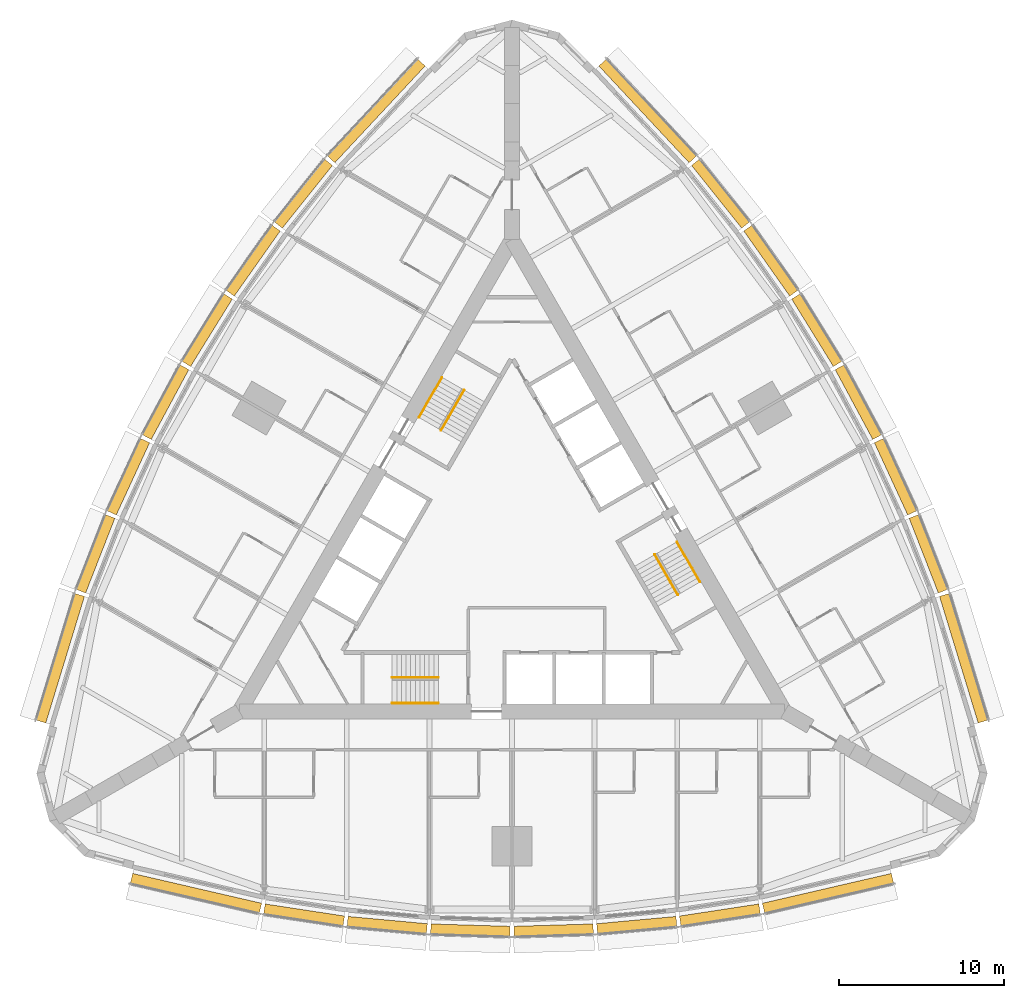
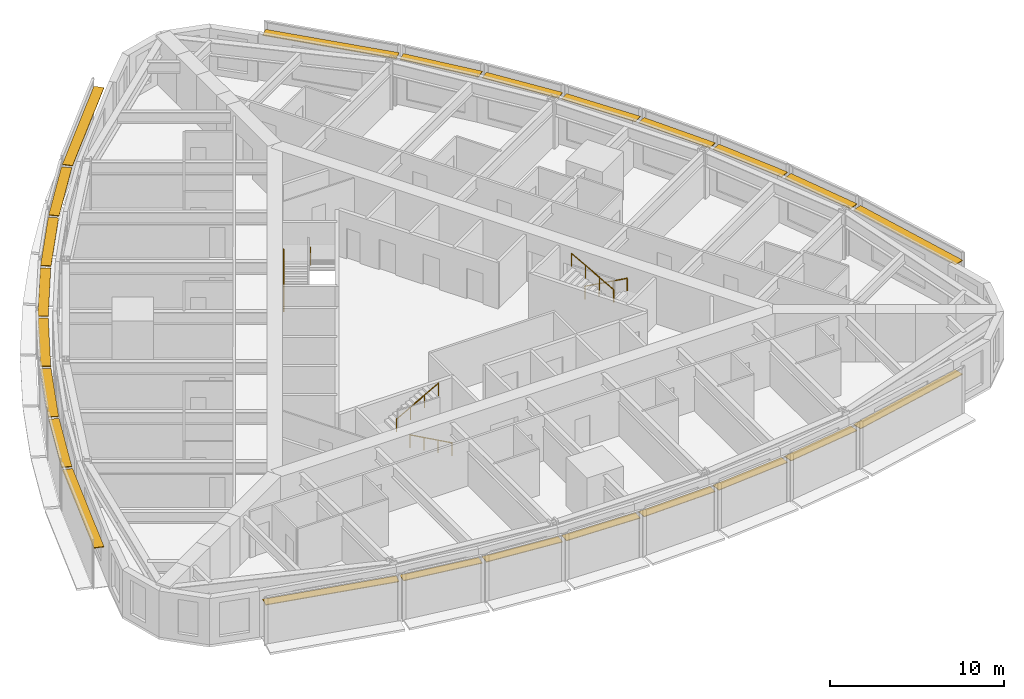
# One storey, part 14 of 14: 24 shading devices, 6 railings.
"""IFC4 building model written with IfcOpenShell, lengths in metres."""

from ifc_helpers import new_model, si_unit, direction, frame, origin, origin_2d, place, context, subcontext, project, spatial, rectangle, circle, extrude, material, type_object, element, save


model = new_model("IFC4")

# Units and contexts
model_context = context("Model", 3, precision=1e-05, world=origin(), true_north=direction((0.0, 1.0)))
body_context = subcontext(model_context, "Body", "Model", "MODEL_VIEW")
ifc_project = project(units=[si_unit("LENGTHUNIT", "METRE"), si_unit("AREAUNIT", "SQUARE_METRE"), si_unit("VOLUMEUNIT", "CUBIC_METRE"), si_unit("PLANEANGLEUNIT", "RADIAN"), si_unit("MASSUNIT", "GRAM", prefix="KILO")], contexts=[model_context])

# Site, building, storey
site_placement = place(None, origin())
site = spatial("IfcSite", under=ifc_project, at=site_placement, CompositionType="ELEMENT")
building_placement = place(site_placement, origin())
building = spatial("IfcBuilding", under=site, at=building_placement, Name="Trikona Tower", CompositionType="ELEMENT")
storey_placement = place(building_placement, frame((0.0, 0.0, 79.5)))
storey = spatial("IfcBuildingStorey", under=building, at=storey_placement, Name="L20", CompositionType="ELEMENT", Elevation=79.5)

# Shading devices
ifc_material_1 = material(Name="Aluminium louvre blade, pale anodised", Category="aluminium")
shading_device_type = type_object("IfcShadingDeviceType", Name="Cavity louvre 600", PredefinedType="USERDEFINED", material=ifc_material_1)
shading_device_1_placement = place(storey_placement, frame((-19.126220703125, -20.5234375, 2.77490234375), z_axis=(0.0, 0.0, 1.0), x_axis=(0.974277718622, -0.225350675607, 0.0)))
element("IfcShadingDevice", 1, at=shading_device_1_placement, inside=storey, type_object=shading_device_type, Name="Cavity louvre L20-00", ObjectType="LOUVRE", PredefinedType="USERDEFINED", context=body_context, shape_type="SweptSolid", body=[
    extrude(rectangle(XDim=8.01123046875, YDim=0.60009765625, at=origin_2d()), origin(), (0.0, 0.0, 1.0), 0.050048828125),
])
shading_device_2_placement = place(storey_placement, frame((-12.584228515625, -21.837158203125, 2.77490234375), z_axis=(0.0, 0.0, 1.0), x_axis=(0.988617896768, -0.150448177754, 0.0)))
element("IfcShadingDevice", 2, at=shading_device_2_placement, inside=storey, type_object=shading_device_type, Name="Cavity louvre L20-01", ObjectType="LOUVRE", PredefinedType="USERDEFINED", context=body_context, shape_type="SweptSolid", body=[
    extrude(rectangle(XDim=4.857666015625, YDim=0.60009765625, at=origin_2d()), origin(), (0.0, 0.0, 1.0), 0.050048828125),
])
shading_device_3_placement = place(storey_placement, frame((-7.55078125, -22.44970703125, 2.77490234375), z_axis=(0.0, 0.0, 1.0), x_axis=(0.995858098326, -0.090921108655, 0.0)))
element("IfcShadingDevice", 3, at=shading_device_3_placement, inside=storey, type_object=shading_device_type, Name="Cavity louvre L20-02", ObjectType="LOUVRE", PredefinedType="USERDEFINED", context=body_context, shape_type="SweptSolid", body=[
    extrude(rectangle(XDim=4.82080078125, YDim=0.60009765625, at=origin_2d()), origin(), (0.0, 0.0, 1.0), 0.050048828125),
])
for number, where, z_axis, x_axis, name in (
    (4, (-2.51708984375, -22.756103515625, 2.77490234375), (0.0, 0.0, 1.0), (0.999537048889, -0.030425119525, 0.0), "Cavity louvre L20-03"),
    (5, (2.51708984375, -22.756103515625, 2.77490234375), (0.0, 0.0, 1.0), (0.999537048889, 0.030425119525, 0.0), "Cavity louvre L20-04"),
):
    element("IfcShadingDevice", number, at=place(storey_placement, frame(where, z_axis=z_axis, x_axis=x_axis)), inside=storey, type_object=shading_device_type, Name=name, ObjectType="LOUVRE", PredefinedType="USERDEFINED", context=body_context, shape_type="SweptSolid", body=[
        extrude(rectangle(XDim=4.80224609375, YDim=0.60009765625, at=origin_2d()), origin(), (0.0, 0.0, 1.0), 0.050048828125),
    ])
shading_device_4_placement = place(storey_placement, frame((7.55078125, -22.44970703125, 2.77490234375), z_axis=(0.0, 0.0, 1.0), x_axis=(0.995858098326, 0.090921108655, 0.0)))
element("IfcShadingDevice", 6, at=shading_device_4_placement, inside=storey, type_object=shading_device_type, Name="Cavity louvre L20-05", ObjectType="LOUVRE", PredefinedType="USERDEFINED", context=body_context, shape_type="SweptSolid", body=[
    extrude(rectangle(XDim=4.82080078125, YDim=0.60009765625, at=origin_2d()), origin(), (0.0, 0.0, 1.0), 0.050048828125),
])
shading_device_5_placement = place(storey_placement, frame((12.584228515625, -21.837158203125, 2.77490234375), z_axis=(0.0, 0.0, 1.0), x_axis=(0.988617896768, 0.150448177754, 0.0)))
element("IfcShadingDevice", 7, at=shading_device_5_placement, inside=storey, type_object=shading_device_type, Name="Cavity louvre L20-06", ObjectType="LOUVRE", PredefinedType="USERDEFINED", context=body_context, shape_type="SweptSolid", body=[
    extrude(rectangle(XDim=4.857666015625, YDim=0.60009765625, at=origin_2d()), origin(), (0.0, 0.0, 1.0), 0.050048828125),
])
for number, where, z_axis, x_axis, name in (
    (8, (19.126220703125, -20.5234375, 2.77490234375), (0.0, 0.0, 1.0), (0.974277718622, 0.225350675607, 0.0), "Cavity louvre L20-07"),
    (9, (27.3369140625, -6.302001953125, 2.77490234375), (0.0, 0.0, 1.0), (-0.291979449475, 0.956424592471, 0.0), "Cavity louvre L20-12"),
):
    element("IfcShadingDevice", number, at=place(storey_placement, frame(where, z_axis=z_axis, x_axis=x_axis)), inside=storey, type_object=shading_device_type, Name=name, ObjectType="LOUVRE", PredefinedType="USERDEFINED", context=body_context, shape_type="SweptSolid", body=[
        extrude(rectangle(XDim=8.01123046875, YDim=0.60009765625, at=origin_2d()), origin(), (0.0, 0.0, 1.0), 0.050048828125),
    ])
shading_device_6_placement = place(storey_placement, frame((25.20361328125, 0.020263671875, 2.77490234375), z_axis=(0.0, 0.0, 1.0), x_axis=(-0.364008876551, 0.931395478726, 0.0)))
element("IfcShadingDevice", 10, at=shading_device_6_placement, inside=storey, type_object=shading_device_type, Name="Cavity louvre L20-13", ObjectType="LOUVRE", PredefinedType="USERDEFINED", context=body_context, shape_type="SweptSolid", body=[
    extrude(rectangle(XDim=4.857666015625, YDim=0.60009765625, at=origin_2d()), origin(), (0.0, 0.0, 1.0), 0.050048828125),
])
shading_device_7_placement = place(storey_placement, frame((23.217529296875, 4.685546875, 2.77490234375), z_axis=(0.0, 0.0, 1.0), x_axis=(-0.41919381307, 0.907896771161, 0.0)))
element("IfcShadingDevice", 11, at=shading_device_7_placement, inside=storey, type_object=shading_device_type, Name="Cavity louvre L20-14", ObjectType="LOUVRE", PredefinedType="USERDEFINED", context=body_context, shape_type="SweptSolid", body=[
    extrude(rectangle(XDim=4.82080078125, YDim=0.60009765625, at=origin_2d()), origin(), (0.0, 0.0, 1.0), 0.050048828125),
])
for number, where, z_axis, x_axis, name in (
    (12, (20.966064453125, 9.1982421875, 2.77490234375), (0.0, 0.0, 1.0), (-0.473422672721, 0.880835383572, 0.0), "Cavity louvre L20-15"),
    (13, (18.448974609375, 13.557861328125, 2.77490234375), (0.0, 0.0, 1.0), (-0.526118935114, 0.85041099835, 0.0), "Cavity louvre L20-16"),
):
    element("IfcShadingDevice", number, at=place(storey_placement, frame(where, z_axis=z_axis, x_axis=x_axis)), inside=storey, type_object=shading_device_type, Name=name, ObjectType="LOUVRE", PredefinedType="USERDEFINED", context=body_context, shape_type="SweptSolid", body=[
        extrude(rectangle(XDim=4.80224609375, YDim=0.60009765625, at=origin_2d()), origin(), (0.0, 0.0, 1.0), 0.050048828125),
    ])
shading_device_8_placement = place(storey_placement, frame((15.666748046875, 17.76416015625, 2.77490234375), z_axis=(0.0, 0.0, 1.0), x_axis=(-0.576661909499, 0.816982889743, 0.0)))
element("IfcShadingDevice", 14, at=shading_device_8_placement, inside=storey, type_object=shading_device_type, Name="Cavity louvre L20-17", ObjectType="LOUVRE", PredefinedType="USERDEFINED", context=body_context, shape_type="SweptSolid", body=[
    extrude(rectangle(XDim=4.82080078125, YDim=0.60009765625, at=origin_2d()), origin(), (0.0, 0.0, 1.0), 0.050048828125),
])
shading_device_9_placement = place(storey_placement, frame((12.619384765625, 21.81689453125, 2.77490234375), z_axis=(0.0, 0.0, 1.0), x_axis=(-0.624603618277, 0.780941944087, 0.0)))
element("IfcShadingDevice", 15, at=shading_device_9_placement, inside=storey, type_object=shading_device_type, Name="Cavity louvre L20-18", ObjectType="LOUVRE", PredefinedType="USERDEFINED", context=body_context, shape_type="SweptSolid", body=[
    extrude(rectangle(XDim=4.857666015625, YDim=0.60009765625, at=origin_2d()), origin(), (0.0, 0.0, 1.0), 0.050048828125),
])
for number, where, z_axis, x_axis, name in (
    (16, (8.210693359375, 26.825439453125, 2.77490234375), (0.0, 0.0, 1.0), (-0.682298269147, 0.731073916864, 0.0), "Cavity louvre L20-19"),
    (17, (-8.210693359375, 26.825439453125, 2.77490234375), (0.0, 0.0, 1.0), (-0.682298269147, -0.731073916864, 0.0), "Cavity louvre L20-24"),
):
    element("IfcShadingDevice", number, at=place(storey_placement, frame(where, z_axis=z_axis, x_axis=x_axis)), inside=storey, type_object=shading_device_type, Name=name, ObjectType="LOUVRE", PredefinedType="USERDEFINED", context=body_context, shape_type="SweptSolid", body=[
        extrude(rectangle(XDim=8.01123046875, YDim=0.60009765625, at=origin_2d()), origin(), (0.0, 0.0, 1.0), 0.050048828125),
    ])
shading_device_10_placement = place(storey_placement, frame((-12.619384765625, 21.81689453125, 2.77490234375), z_axis=(0.0, 0.0, 1.0), x_axis=(-0.624603618277, -0.780941944087, 0.0)))
element("IfcShadingDevice", 18, at=shading_device_10_placement, inside=storey, type_object=shading_device_type, Name="Cavity louvre L20-25", ObjectType="LOUVRE", PredefinedType="USERDEFINED", context=body_context, shape_type="SweptSolid", body=[
    extrude(rectangle(XDim=4.857666015625, YDim=0.60009765625, at=origin_2d()), origin(), (0.0, 0.0, 1.0), 0.050048828125),
])
shading_device_11_placement = place(storey_placement, frame((-15.666748046875, 17.76416015625, 2.77490234375), z_axis=(0.0, 0.0, 1.0), x_axis=(-0.576661909499, -0.816982889743, 0.0)))
element("IfcShadingDevice", 19, at=shading_device_11_placement, inside=storey, type_object=shading_device_type, Name="Cavity louvre L20-26", ObjectType="LOUVRE", PredefinedType="USERDEFINED", context=body_context, shape_type="SweptSolid", body=[
    extrude(rectangle(XDim=4.82080078125, YDim=0.60009765625, at=origin_2d()), origin(), (0.0, 0.0, 1.0), 0.050048828125),
])
for number, where, z_axis, x_axis, name in (
    (20, (-18.448974609375, 13.557861328125, 2.77490234375), (0.0, 0.0, 1.0), (-0.526118935114, -0.85041099835, 0.0), "Cavity louvre L20-27"),
    (21, (-20.966064453125, 9.1982421875, 2.77490234375), (0.0, 0.0, 1.0), (-0.473422672721, -0.880835383572, 0.0), "Cavity louvre L20-28"),
):
    element("IfcShadingDevice", number, at=place(storey_placement, frame(where, z_axis=z_axis, x_axis=x_axis)), inside=storey, type_object=shading_device_type, Name=name, ObjectType="LOUVRE", PredefinedType="USERDEFINED", context=body_context, shape_type="SweptSolid", body=[
        extrude(rectangle(XDim=4.80224609375, YDim=0.60009765625, at=origin_2d()), origin(), (0.0, 0.0, 1.0), 0.050048828125),
    ])
shading_device_12_placement = place(storey_placement, frame((-23.217529296875, 4.685546875, 2.77490234375), z_axis=(0.0, 0.0, 1.0), x_axis=(-0.41919381307, -0.907896771161, 0.0)))
element("IfcShadingDevice", 22, at=shading_device_12_placement, inside=storey, type_object=shading_device_type, Name="Cavity louvre L20-29", ObjectType="LOUVRE", PredefinedType="USERDEFINED", context=body_context, shape_type="SweptSolid", body=[
    extrude(rectangle(XDim=4.82080078125, YDim=0.60009765625, at=origin_2d()), origin(), (0.0, 0.0, 1.0), 0.050048828125),
])
shading_device_13_placement = place(storey_placement, frame((-25.20361328125, 0.020263671875, 2.77490234375), z_axis=(0.0, 0.0, 1.0), x_axis=(-0.364008876551, -0.931395478726, 0.0)))
element("IfcShadingDevice", 23, at=shading_device_13_placement, inside=storey, type_object=shading_device_type, Name="Cavity louvre L20-30", ObjectType="LOUVRE", PredefinedType="USERDEFINED", context=body_context, shape_type="SweptSolid", body=[
    extrude(rectangle(XDim=4.857666015625, YDim=0.60009765625, at=origin_2d()), origin(), (0.0, 0.0, 1.0), 0.050048828125),
])
shading_device_14_placement = place(storey_placement, frame((-27.3369140625, -6.302001953125, 2.77490234375), z_axis=(0.0, 0.0, 1.0), x_axis=(-0.291979449475, -0.956424592471, 0.0)))
element("IfcShadingDevice", 24, at=shading_device_14_placement, inside=storey, type_object=shading_device_type, Name="Cavity louvre L20-31", ObjectType="LOUVRE", PredefinedType="USERDEFINED", context=body_context, shape_type="SweptSolid", body=[
    extrude(rectangle(XDim=8.01123046875, YDim=0.60009765625, at=origin_2d()), origin(), (0.0, 0.0, 1.0), 0.050048828125),
])

# Railings
ifc_material_2 = material(Name="Stainless steel handrail", Category="steel")
railing_type = type_object("IfcRailingType", Name="Stair handrail", PredefinedType="HANDRAIL", material=ifc_material_2)
railing_1_placement = place(storey_placement, frame((-4.449951171875, -9.016357421875, 0.154541015625)))
element("IfcRailing", 25, at=railing_1_placement, inside=storey, type_object=railing_type, Name="Stair handrail A L20 1", PredefinedType="HANDRAIL", context=body_context, shape_type="SweptSolid", body=[
    extrude(circle(Radius=0.02392578125, at=origin_2d()), frame((0.0, 0.0, 0.8759765625), z_axis=(-0.875504190374, 0.0, 0.483210526207), x_axis=(0.0, -1.0, 0.0)), (0.0, 0.0, 1.0), 3.1982421875),
    extrude(circle(Radius=0.02099609375, at=origin_2d()), origin(), (0.0, 0.0, 1.0), 0.851806640625),
    extrude(circle(Radius=0.02099609375, at=origin_2d()), frame((-0.933349609375, 0.0, 0.51513671875)), (0.0, 0.0, 1.0), 0.851806640625),
    extrude(circle(Radius=0.02099609375, at=origin_2d()), frame((-1.86669921875, 0.0, 1.0302734375)), (0.0, 0.0, 1.0), 0.851806640625),
    extrude(circle(Radius=0.02099609375, at=origin_2d()), frame((-2.800048828125, 0.0, 1.54541015625)), (0.0, 0.0, 1.0), 0.851806640625),
])
railing_2_placement = place(storey_placement, frame((-7.25, -7.46630859375, 1.8544921875)))
element("IfcRailing", 26, at=railing_2_placement, inside=storey, type_object=railing_type, Name="Stair handrail A L20 2", PredefinedType="HANDRAIL", context=body_context, shape_type="SweptSolid", body=[
    extrude(circle(Radius=0.02392578125, at=origin_2d()), frame((0.0, 0.0, 0.8759765625), z_axis=(0.875504190374, 0.0, 0.483210526207), x_axis=(0.0, 1.0, 0.0)), (0.0, 0.0, 1.0), 3.1982421875),
    extrude(circle(Radius=0.02099609375, at=origin_2d()), origin(), (0.0, 0.0, 1.0), 0.851806640625),
    extrude(circle(Radius=0.02099609375, at=origin_2d()), frame((0.933349609375, 0.0, 0.51513671875)), (0.0, 0.0, 1.0), 0.851806640625),
    extrude(circle(Radius=0.02099609375, at=origin_2d()), frame((1.86669921875, 0.0, 1.0302734375)), (0.0, 0.0, 1.0), 0.851806640625),
    extrude(circle(Radius=0.02099609375, at=origin_2d()), frame((2.800048828125, 0.0, 1.54541015625)), (0.0, 0.0, 1.0), 0.851806640625),
])
railing_3_placement = place(storey_placement, frame((9.9833984375, 0.740966796875, 0.154541015625)))
element("IfcRailing", 27, at=railing_3_placement, inside=storey, type_object=railing_type, Name="Stair handrail B L20 1", PredefinedType="HANDRAIL", context=body_context, shape_type="SweptSolid", body=[
    extrude(circle(Radius=0.02392578125, at=origin_2d()), frame((0.0, 0.0, 0.8759765625), z_axis=(0.437707188162, -0.758239536103, 0.483203087036), x_axis=(0.866056369097, 0.49994636267, 0.0)), (0.0, 0.0, 1.0), 3.1982421875),
    extrude(circle(Radius=0.02099609375, at=origin_2d()), origin(), (0.0, 0.0, 1.0), 0.851806640625),
    extrude(circle(Radius=0.02099609375, at=origin_2d()), frame((0.466552734375, -0.808349609375, 0.51513671875)), (0.0, 0.0, 1.0), 0.851806640625),
    extrude(circle(Radius=0.02099609375, at=origin_2d()), frame((0.933349609375, -1.61669921875, 1.0302734375)), (0.0, 0.0, 1.0), 0.851806640625),
    extrude(circle(Radius=0.02099609375, at=origin_2d()), frame((1.39990234375, -2.425048828125, 1.54541015625)), (0.0, 0.0, 1.0), 0.851806640625),
])
railing_4_placement = place(storey_placement, frame((10.041015625, -2.458984375, 1.8544921875)))
element("IfcRailing", 28, at=railing_4_placement, inside=storey, type_object=railing_type, Name="Stair handrail B L20 2", PredefinedType="HANDRAIL", context=body_context, shape_type="SweptSolid", body=[
    extrude(circle(Radius=0.02392578125, at=origin_2d()), frame((0.0, 0.0, 0.8759765625), z_axis=(-0.437707188162, 0.758239536103, 0.483203087036), x_axis=(-0.866056369097, -0.49994636267, 0.0)), (0.0, 0.0, 1.0), 3.1982421875),
    extrude(circle(Radius=0.02099609375, at=origin_2d()), origin(), (0.0, 0.0, 1.0), 0.851806640625),
    extrude(circle(Radius=0.02099609375, at=origin_2d()), frame((-0.466552734375, 0.808349609375, 0.51513671875)), (0.0, 0.0, 1.0), 0.851806640625),
    extrude(circle(Radius=0.02099609375, at=origin_2d()), frame((-0.933349609375, 1.61669921875, 1.0302734375)), (0.0, 0.0, 1.0), 0.851806640625),
    extrude(circle(Radius=0.02099609375, at=origin_2d()), frame((-1.39990234375, 2.425048828125, 1.54541015625)), (0.0, 0.0, 1.0), 0.851806640625),
])
railing_5_placement = place(storey_placement, frame((-5.63330078125, 8.275390625, 0.154541015625)))
element("IfcRailing", 29, at=railing_5_placement, inside=storey, type_object=railing_type, Name="Stair handrail C L20 1", PredefinedType="HANDRAIL", context=body_context, shape_type="SweptSolid", body=[
    extrude(circle(Radius=0.02392578125, at=origin_2d()), frame((0.0, 0.0, 0.8759765625), z_axis=(0.437732523806, 0.758207085183, 0.483231056102), x_axis=(-0.866034573852, 0.49998411664, 0.0)), (0.0, 0.0, 1.0), 3.197998046875),
    extrude(circle(Radius=0.02099609375, at=origin_2d()), origin(), (0.0, 0.0, 1.0), 0.851806640625),
    extrude(circle(Radius=0.02099609375, at=origin_2d()), frame((0.466552734375, 0.808349609375, 0.51513671875)), (0.0, 0.0, 1.0), 0.851806640625),
    extrude(circle(Radius=0.02099609375, at=origin_2d()), frame((0.933349609375, 1.616455078125, 1.0302734375)), (0.0, 0.0, 1.0), 0.851806640625),
    extrude(circle(Radius=0.02099609375, at=origin_2d()), frame((1.39990234375, 2.4248046875, 1.54541015625)), (0.0, 0.0, 1.0), 0.851806640625),
])
railing_6_placement = place(storey_placement, frame((-2.89111328125, 9.92529296875, 1.8544921875)))
element("IfcRailing", 30, at=railing_6_placement, inside=storey, type_object=railing_type, Name="Stair handrail C L20 2", PredefinedType="HANDRAIL", context=body_context, shape_type="SweptSolid", body=[
    extrude(circle(Radius=0.02392578125, at=origin_2d()), frame((0.0, 0.0, 0.8759765625), z_axis=(-0.437707188162, -0.758239536103, 0.483203087036), x_axis=(0.866056369097, -0.49994636267, 0.0)), (0.0, 0.0, 1.0), 3.1982421875),
    extrude(circle(Radius=0.02099609375, at=origin_2d()), origin(), (0.0, 0.0, 1.0), 0.851806640625),
    extrude(circle(Radius=0.02099609375, at=origin_2d()), frame((-0.466552734375, -0.808349609375, 0.51513671875)), (0.0, 0.0, 1.0), 0.851806640625),
    extrude(circle(Radius=0.02099609375, at=origin_2d()), frame((-0.933349609375, -1.61669921875, 1.0302734375)), (0.0, 0.0, 1.0), 0.851806640625),
    extrude(circle(Radius=0.02099609375, at=origin_2d()), frame((-1.39990234375, -2.425048828125, 1.54541015625)), (0.0, 0.0, 1.0), 0.851806640625),
])

save(model, "model.ifc")
